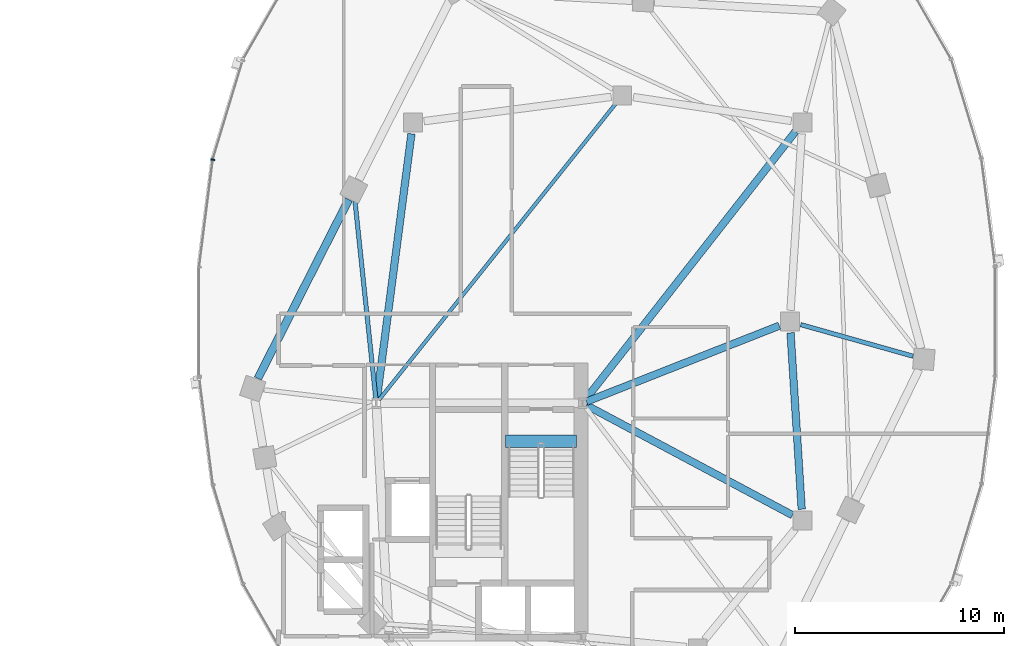
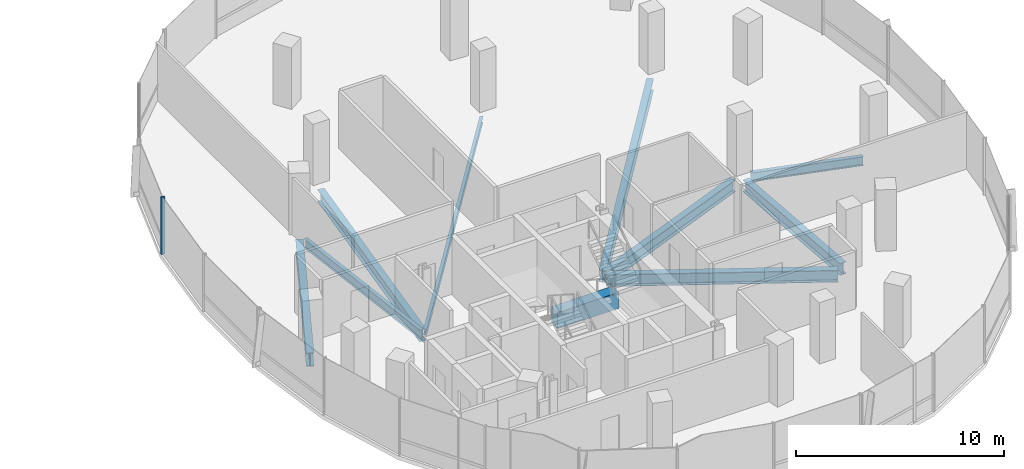
# One storey, part 7 of 22: 10 beams, 1 member, 1 element without a shape of its own.
"""IFC4 building model written with IfcOpenShell, lengths in metres."""

from ifc_helpers import new_model, si_unit, direction, frame, origin, origin_2d, place, context, subcontext, project, spatial, rectangle, i_section, extrude, material, material_profile, profile_set, type_object, element, aggregate, save


model = new_model("IFC4")

# Units and contexts
model_context = context("Model", 3, precision=1e-05, world=origin(), true_north=direction((0.0, 1.0)))
body_context = subcontext(model_context, "Body", "Model", "MODEL_VIEW")
ifc_project = project(units=[si_unit("LENGTHUNIT", "METRE"), si_unit("AREAUNIT", "SQUARE_METRE"), si_unit("VOLUMEUNIT", "CUBIC_METRE"), si_unit("PLANEANGLEUNIT", "RADIAN"), si_unit("MASSUNIT", "GRAM", prefix="KILO"), si_unit("THERMODYNAMICTEMPERATUREUNIT", "KELVIN"), si_unit("POWERUNIT", "WATT")], contexts=[model_context])

# Site, building, storey
site_placement = place(None, origin())
site = spatial("IfcSite", under=ifc_project, at=site_placement, CompositionType="ELEMENT")
building_placement = place(site_placement, origin())
building = spatial("IfcBuilding", under=site, at=building_placement, Name="Cundina Bronze Exchange", CompositionType="ELEMENT")
storey_placement = place(building_placement, frame((0.0, 0.0, 136.800048828125)))
storey = spatial("IfcBuildingStorey", under=building, at=storey_placement, Name="L35", CompositionType="ELEMENT", Elevation=136.800048828125)

# Beams
ifc_material_1 = material(Name="Concrete C60/75", Category="concrete")
ifc_material_profile_1 = material_profile(ifc_material_1, rectangle(XDim=0.60009765625, YDim=0.949951171875, at=origin_2d()), Name="RC600X950", Category="concrete")
ifc_profile_set_1 = profile_set([ifc_material_profile_1], Name="Concrete C60/75")
beam_type_1 = type_object("IfcBeamType", Name="BM-COUP-RC950", PredefinedType="LINTEL", material=ifc_profile_set_1)
beam_1_placement = place(storey_placement, frame((27.6201171875, -5.719970703125, -0.47509765625), z_axis=(1.0, 0.0, 0.0), x_axis=(0.0, 1.0, 0.0)))
element("IfcBeam", 1, at=beam_1_placement, inside=storey, type_object=beam_type_1, Name="L35 Stair E1 Landing Header Beam", PredefinedType="LINTEL", context=body_context, shape_type="SweptSolid", body=[
    extrude(rectangle(XDim=0.60009765625, YDim=0.949951171875, at=origin_2d()), origin(), (0.0, 0.0, 1.0), 3.39990234375),
])
ifc_material_2 = material(Name="Steel ASTM A992 Grade 50", Category="steel")
ifc_material_profile_2 = material_profile(ifc_material_2, i_section(OverallWidth=0.2099609375, OverallDepth=0.532958984375, WebThickness=0.01025390625, FlangeThickness=0.015625, FilletRadius=0.013916015625, at=origin_2d()), Name="W21X62", Category="steel")
ifc_profile_set_2 = profile_set([ifc_material_profile_2], Name="Steel ASTM A992 Grade 50")
beam_type_2 = type_object("IfcBeamType", Name="BM-FLR-W21B", PredefinedType="BEAM", material=ifc_profile_set_2)
beam_2_placement = place(storey_placement, frame((41.718017578125, -0.145751953125, -0.506591796875), z_axis=(0.962654865541, -0.270731619598, 0.0), x_axis=(0.270731619598, 0.962654865541, 0.0)))
element("IfcBeam", 2, at=beam_2_placement, inside=storey, type_object=beam_type_2, Name="L35 Leg E Chordal Floor Beam 08", PredefinedType="BEAM", context=body_context, shape_type="SweptSolid", body=[
    extrude(i_section(OverallWidth=0.2099609375, OverallDepth=0.532958984375, WebThickness=0.01025390625, FlangeThickness=0.015625, FilletRadius=0.013916015625, at=origin_2d()), origin(), (0.0, 0.0, 1.0), 5.572021484375),
])
beam_3_placement = place(storey_placement, frame((21.4287109375, -3.697021484375, -0.506591796875), z_axis=(-0.104822364957, 0.994490961148, 0.0), x_axis=(-0.994490961148, -0.104822364957, 0.0)))
element("IfcBeam", 3, at=beam_3_placement, inside=storey, type_object=beam_type_2, Name="L35 Leg E Chordal Floor Beam 13", PredefinedType="BEAM", context=body_context, shape_type="SweptSolid", body=[
    extrude(i_section(OverallWidth=0.2099609375, OverallDepth=0.532958984375, WebThickness=0.01025390625, FlangeThickness=0.015625, FilletRadius=0.013916015625, at=origin_2d()), origin(), (0.0, 0.0, 1.0), 9.514404296875),
])
ifc_material_profile_3 = material_profile(ifc_material_2, i_section(OverallWidth=0.172119140625, OverallDepth=0.35791015625, WebThickness=0.0078125, FlangeThickness=0.01318359375, FilletRadius=0.010009765625, at=origin_2d()), Name="W14X38", Category="steel")
ifc_profile_set_3 = profile_set([ifc_material_profile_3], Name="Steel ASTM A992 Grade 50")
beam_type_3 = type_object("IfcBeamType", Name="BM-JST-W14", PredefinedType="JOIST", material=ifc_profile_set_3)
beam_4_placement = place(storey_placement, frame((21.577392578125, -3.740478515625, -0.4189453125), z_axis=(0.62436887964, 0.781129632095, 0.0), x_axis=(-0.781129632095, 0.62436887964, 0.0)))
element("IfcBeam", 4, at=beam_4_placement, inside=storey, type_object=beam_type_3, Name="L35 E Interior Core-to-Ring Joist 2", PredefinedType="JOIST", context=body_context, shape_type="SweptSolid", body=[
    extrude(i_section(OverallWidth=0.172119140625, OverallDepth=0.35791015625, WebThickness=0.0078125, FlangeThickness=0.01318359375, FilletRadius=0.010009765625, at=origin_2d()), origin(), (0.0, 0.0, 1.0), 18.076904296875),
])
ifc_material_profile_4 = material_profile(ifc_material_2, i_section(OverallWidth=0.35498046875, OverallDepth=0.695068359375, WebThickness=0.015380859375, FlangeThickness=0.02490234375, FilletRadius=0.01806640625, at=origin_2d()), Name="W27X146", Category="steel")
ifc_profile_set_4 = profile_set([ifc_material_profile_4], Name="Steel ASTM A992 Grade 50")
beam_type_4 = type_object("IfcBeamType", Name="BM-RING-W27", PredefinedType="USERDEFINED", material=ifc_profile_set_4)
beam_5_placement = place(storey_placement, frame((41.76611328125, -8.963134765625, -0.587646484375), z_axis=(-0.06303715519, 0.998011180832, 0.0), x_axis=(-0.998011180832, -0.06303715519, 0.0)))
element("IfcBeam", 5, at=beam_5_placement, inside=storey, type_object=beam_type_4, Name="L35 E Inner Structural Ring Girder 03", ObjectType="GIRDER", PredefinedType="USERDEFINED", context=body_context, shape_type="SweptSolid", body=[
    extrude(i_section(OverallWidth=0.35498046875, OverallDepth=0.695068359375, WebThickness=0.015380859375, FlangeThickness=0.02490234375, FilletRadius=0.01806640625, at=origin_2d()), origin(), (0.0, 0.0, 1.0), 8.443115234375),
])
beam_6_placement = place(storey_placement, frame((23.13037109375, 8.966552734375, -0.587646484375), z_axis=(-0.129507526533, -0.99157843894, 0.0), x_axis=(0.99157843894, -0.129507526533, 0.0)))
element("IfcBeam", 6, at=beam_6_placement, inside=storey, type_object=beam_type_4, Name="L35 E Inner Structural Ring Girder 07", ObjectType="GIRDER", PredefinedType="USERDEFINED", context=body_context, shape_type="SweptSolid", body=[
    extrude(i_section(OverallWidth=0.35498046875, OverallDepth=0.695068359375, WebThickness=0.015380859375, FlangeThickness=0.02490234375, FilletRadius=0.01806640625, at=origin_2d()), origin(), (0.0, 0.0, 1.0), 12.77197265625),
])
beam_7_placement = place(storey_placement, frame((31.48974609375, -3.8251953125, -0.587646484375), z_axis=(0.930413235418, 0.366512225388, 0.0), x_axis=(-0.366512225388, 0.930413235418, 0.0)))
element("IfcBeam", 7, at=beam_7_placement, inside=storey, type_object=beam_type_4, Name="L35 E Core-to-Waist Tie Beam 1", ObjectType="GIRDER", PredefinedType="USERDEFINED", context=body_context, shape_type="SweptSolid", body=[
    extrude(i_section(OverallWidth=0.35498046875, OverallDepth=0.695068359375, WebThickness=0.015380859375, FlangeThickness=0.02490234375, FilletRadius=0.01806640625, at=origin_2d()), origin(), (0.0, 0.0, 1.0), 9.8984375),
])
beam_8_placement = place(storey_placement, frame((31.47998046875, -3.99609375, -0.587646484375), z_axis=(0.882354758239, -0.470584828286, 0.0), x_axis=(0.470584828286, 0.882354758239, 0.0)))
element("IfcBeam", 8, at=beam_8_placement, inside=storey, type_object=beam_type_4, Name="L35 E Core-to-Waist Tie Beam 2", ObjectType="GIRDER", PredefinedType="USERDEFINED", context=body_context, shape_type="SweptSolid", body=[
    extrude(i_section(OverallWidth=0.35498046875, OverallDepth=0.695068359375, WebThickness=0.015380859375, FlangeThickness=0.02490234375, FilletRadius=0.01806640625, at=origin_2d()), origin(), (0.0, 0.0, 1.0), 11.157958984375),
])
beam_9_placement = place(storey_placement, frame((31.42578125, -3.739501953125, -0.587646484375), z_axis=(0.616789275748, 0.787128318206, 0.0), x_axis=(-0.787128318206, 0.616789275748, 0.0)))
element("IfcBeam", 9, at=beam_9_placement, inside=storey, type_object=beam_type_4, Name="L35 E Core-to-Waist Tie Beam 3", ObjectType="GIRDER", PredefinedType="USERDEFINED", context=body_context, shape_type="SweptSolid", body=[
    extrude(i_section(OverallWidth=0.35498046875, OverallDepth=0.695068359375, WebThickness=0.015380859375, FlangeThickness=0.02490234375, FilletRadius=0.01806640625, at=origin_2d()), origin(), (0.0, 0.0, 1.0), 16.281982421875),
])
ifc_material_profile_5 = material_profile(ifc_material_2, i_section(OverallWidth=0.381103515625, OverallDepth=0.77294921875, WebThickness=0.0166015625, FlangeThickness=0.027099609375, FilletRadius=0.01904296875, at=origin_2d()), Name="W30X173", Category="steel")
ifc_profile_set_5 = profile_set([ifc_material_profile_5], Name="Steel ASTM A992 Grade 50")
beam_type_5 = type_object("IfcBeamType", Name="BM-RING-W30", PredefinedType="USERDEFINED", material=ifc_profile_set_5)
beam_10_placement = place(storey_placement, frame((20.13134765625, 5.8203125, -0.62646484375), z_axis=(-0.452832332744, -0.891595692241, 0.0), x_axis=(0.891595692241, -0.452832332744, 0.0)))
element("IfcBeam", 10, at=beam_10_placement, inside=storey, type_object=beam_type_5, Name="L35 E Perimeter Ring Girder 13", ObjectType="GIRDER", PredefinedType="USERDEFINED", context=body_context, shape_type="SweptSolid", body=[
    extrude(i_section(OverallWidth=0.381103515625, OverallDepth=0.77294921875, WebThickness=0.0166015625, FlangeThickness=0.027099609375, FilletRadius=0.01904296875, at=origin_2d()), origin(), (0.0, 0.0, 1.0), 9.578857421875),
])

# Curtain wall, member
ifc_material_3 = material(Name="Anodised Bronze Aluminium 6063-T6", Category="aluminium")
curtain_wall_type = type_object("IfcCurtainWallType", Name="CWS-WST-PIN", PredefinedType="NOTDEFINED", material=ifc_material_3)
curtain_wall_placement = place(storey_placement, origin())
curtain_wall = element("IfcCurtainWall", 11, at=curtain_wall_placement, inside=storey, type_object=curtain_wall_type, Name="L35 CW-04 Curtain Wall Run CWR-L35-E2", PredefinedType="NOTDEFINED")
ifc_material_profile_6 = material_profile(ifc_material_3, rectangle(XDim=0.070068359375, YDim=0.18994140625, at=origin_2d()), Name="AL70X190", Category="aluminium")
ifc_profile_set_6 = profile_set([ifc_material_profile_6], Name="Anodised Bronze Aluminium 6063-T6")
member_type = type_object("IfcMemberType", Name="CWM-MUL-190", PredefinedType="MULLION", material=ifc_profile_set_6)
member_placement = place(storey_placement, frame((13.642822265625, 7.731689453125, 0.0), z_axis=(0.0, 0.0, 1.0), x_axis=(-0.126545236492, -0.991960837494, 0.0)))
member = element("IfcMember", 12, at=member_placement, type_object=member_type, Name="CW-04 Mullion 6", PredefinedType="MULLION", context=body_context, shape_type="SweptSolid", body=[
    extrude(rectangle(XDim=0.070068359375, YDim=0.18994140625, at=origin_2d()), origin(), (0.0, 0.0, 1.0), 3.35986328125),
])
aggregate(curtain_wall, [member])

save(model, "model.ifc")
